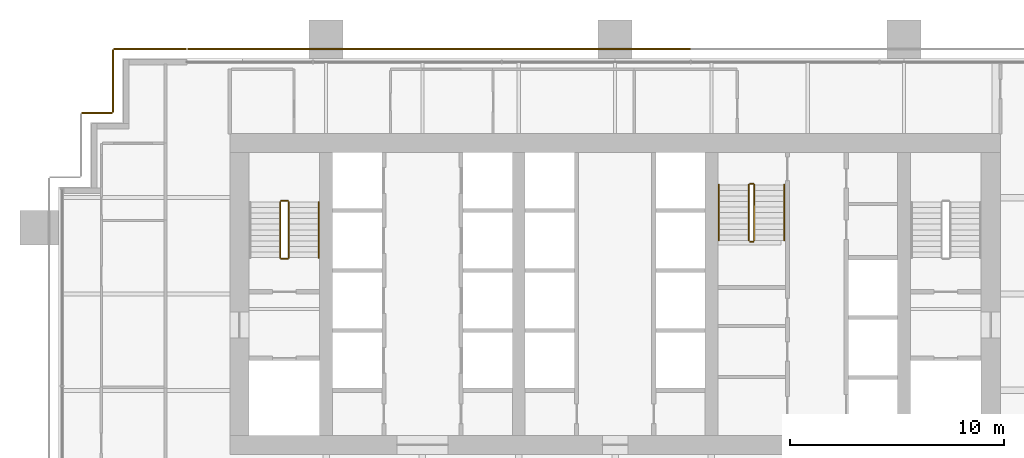
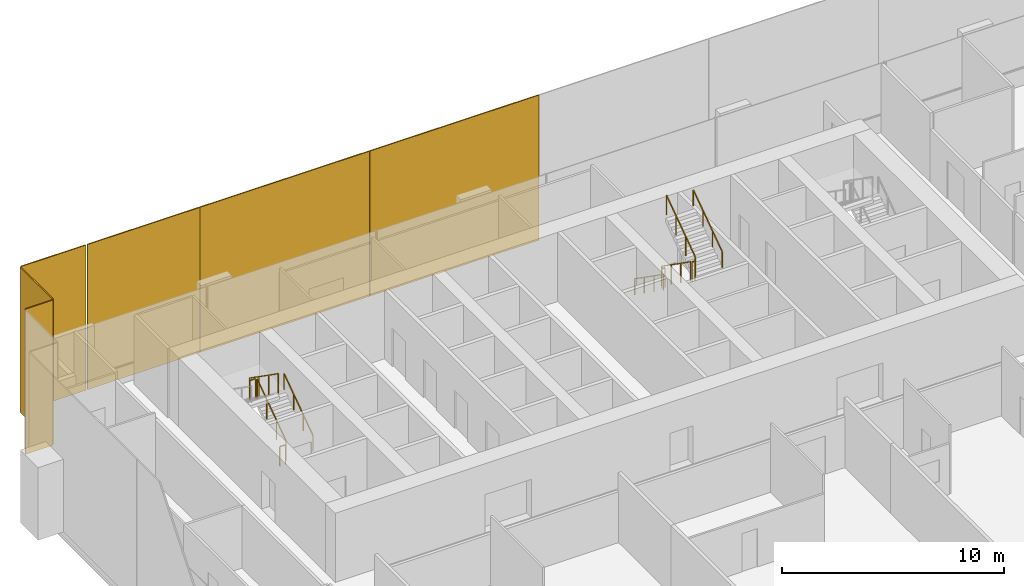
# One storey, part 18 of 19: 11 railings, 6 coverings.
"""IFC4 building model written with IfcOpenShell, lengths in metres."""

import ifcopenshell
import ifcopenshell.guid

model = None  # the IFC model being written
_history = None  # IfcOwnerHistory: only IFC2X3 demands one
_inside = {}  # id of a spatial element -> (the spatial element, [elements in it])
_under = {}  # id of a project, library or spatial element -> (it, [spatial elements below it])
_declared = {}  # id of a project -> (the project, [libraries it declares])
_typed = {}  # id of a type object -> (the type object, [elements of that type])
_made_of = {}  # id of a material, layer set ... -> (it, [elements and type objects made of it])


def new_model(schema):
    """Start an empty IFC model of exactly this schema.

    Asked for "IFC4X3", IfcOpenShell would pick the latest addendum, in which some entities
    have other attributes; the version numbers below select the first issue.
    IFC2X3 requires an IfcOwnerHistory on every rooted entity: one is made here for all.
    """
    global model, _history
    if schema == "IFC4X3":
        model = ifcopenshell.file(schema_version=(4, 3, 0, 0))
    else:
        model = ifcopenshell.file(schema=schema)
    _inside.clear()
    _under.clear()
    _declared.clear()
    _typed.clear()
    _made_of.clear()
    _history = None
    if model.schema == "IFC2X3":
        org = make("IfcOrganization", Name="unknown")
        user = make(
            "IfcPersonAndOrganization",
            ThePerson=make("IfcPerson", FamilyName="unknown"),
            TheOrganization=org,
        )
        app = make(
            "IfcApplication",
            ApplicationDeveloper=org,
            Version="unknown",
            ApplicationFullName="unknown",
            ApplicationIdentifier="unknown",
        )
        _history = make(
            "IfcOwnerHistory",
            OwningUser=user,
            OwningApplication=app,
            ChangeAction="ADDED",
            CreationDate=0,
        )
    return model


def make(cls, **values):
    """One entity of the class cls with the attributes given. An attribute that is None is left unset."""
    return model.create_entity(
        cls, **{name: value for name, value in values.items() if value is not None}
    )


def rooted(cls, **values):
    """An entity with a GlobalId (a new one), such as an element, a storey or a relation."""
    return make(cls, GlobalId=ifcopenshell.guid.new(), OwnerHistory=_history, **values)


def si_unit(unit_type, name, prefix=None):
    """IfcSIUnit, for example si_unit("LENGTHUNIT", "METRE", prefix="MILLI")."""
    return make("IfcSIUnit", UnitType=unit_type, Prefix=prefix, Name=name)


def assignment(units):
    """IfcUnitAssignment: the units of a project."""
    return None if units is None else make("IfcUnitAssignment", Units=units)


def point(xyz):
    """IfcCartesianPoint."""
    return None if xyz is None else make("IfcCartesianPoint", Coordinates=xyz)


def direction(xyz):
    """IfcDirection."""
    return None if xyz is None else make("IfcDirection", DirectionRatios=xyz)


def frame(location, z_axis=None, x_axis=None):
    """IfcAxis2Placement3D, a coordinate frame: its origin and axes. An axis left out is left unset."""
    return make(
        "IfcAxis2Placement3D",
        Location=point(location),
        Axis=direction(z_axis),
        RefDirection=direction(x_axis),
    )


def frame_2d(location, x_axis=None):
    """IfcAxis2Placement2D, a coordinate frame in the plane: its origin and x axis."""
    return make(
        "IfcAxis2Placement2D", Location=point(location), RefDirection=direction(x_axis)
    )


def origin():
    """The frame at (0, 0, 0) with its axes left unset."""
    return frame((0.0, 0.0, 0.0))


def origin_2d():
    """The frame at (0, 0) in the plane with its x axis left unset."""
    return frame_2d((0.0, 0.0))


def place(relative_to, where):
    """IfcLocalPlacement: puts the frame where relative to a parent placement (None: the world)."""
    return make(
        "IfcLocalPlacement", PlacementRelTo=relative_to, RelativePlacement=where
    )


def context(
    kind, dimensions, precision=None, world=None, true_north=None, identifier=None
):
    """IfcGeometricRepresentationContext, for example the 3D "Model" context."""
    return make(
        "IfcGeometricRepresentationContext",
        ContextIdentifier=identifier,
        ContextType=kind,
        CoordinateSpaceDimension=dimensions,
        Precision=precision,
        WorldCoordinateSystem=world,
        TrueNorth=true_north,
    )


def subcontext(parent, identifier, kind, view, scale=None):
    """IfcGeometricRepresentationSubContext, for example "Body" below "Model"."""
    return make(
        "IfcGeometricRepresentationSubContext",
        ContextIdentifier=identifier,
        ContextType=kind,
        ParentContext=parent,
        TargetScale=scale,
        TargetView=view,
    )


def project(units=None, contexts=None):
    """IfcProject with its units and contexts."""
    return rooted(
        "IfcProject",
        Name="project",
        RepresentationContexts=contexts,
        UnitsInContext=assignment(units),
    )


def spatial(cls, under=None, at=None, **own):
    """A site, building, storey or space (cls), placed at a placement, below another one or the project."""
    s = rooted(cls, ObjectPlacement=at, **own)
    if under is not None:
        _under.setdefault(under.id(), (under, []))[1].append(s)
    return s


def profile(cls, at=None, kind="AREA", **sizes):
    """A parametric profile (cls). Its sizes go by their IFC names, for example OverallWidth=200.0."""
    return make(cls, ProfileType=kind, Position=at, **sizes)


def rectangle(**sizes):
    """IfcRectangleProfileDef."""
    return profile("IfcRectangleProfileDef", **sizes)


def extrude(swept, where, along, depth):
    """IfcExtrudedAreaSolid: the profile swept, set in the frame where, extruded along a direction by depth."""
    return make(
        "IfcExtrudedAreaSolid",
        SweptArea=swept,
        Position=where,
        ExtrudedDirection=direction(along),
        Depth=depth,
    )


def shape(context_of_items, identifier, shape_type, items):
    """IfcShapeRepresentation: the items that make up one representation, for example the "Body"."""
    return make(
        "IfcShapeRepresentation",
        ContextOfItems=context_of_items,
        RepresentationIdentifier=identifier,
        RepresentationType=shape_type,
        Items=items,
    )


def material(Name=None, Category=None):
    """IfcMaterial."""
    return make("IfcMaterial", Name=Name, Category=Category)


def layer(
    of_material, thickness, ventilated=None, Name=None, Category=None, Priority=None
):
    """IfcMaterialLayer: one layer of a wall or slab, of a material (None: an air gap)."""
    return make(
        "IfcMaterialLayer",
        Material=of_material,
        LayerThickness=thickness,
        IsVentilated=ventilated,
        Name=Name,
        Category=Category,
        Priority=Priority,
    )


def layer_set(layers, Name=None):
    """IfcMaterialLayerSet."""
    return make("IfcMaterialLayerSet", MaterialLayers=layers, LayerSetName=Name)


def made_of(thing, what):
    """Note that an element or type object is made of a material, layer set ...; save() writes the relation."""
    if what is not None:
        _made_of.setdefault(what.id(), (what, []))[1].append(thing)
    return thing


def type_object(cls, material=None, **own):
    """A type object (cls), such as IfcWallType, which elements share."""
    return made_of(rooted(cls, **own), material)


def element(
    cls,
    number,
    at=None,
    inside=None,
    cuts=None,
    type_object=None,
    material=None,
    context=None,
    identifier="Body",
    shape_type=None,
    held_by="IfcProductDefinitionShape",
    body=None,
    shapes=None,
    **own,
):
    """One element of the class cls, such as IfcWall. Its Tag is "e" and its number.

    at: its placement. inside: the storey or other place that contains it. cuts: it is an
    opening in that element (IfcRelVoidsElement). A single representation is given by context,
    identifier, shape_type and body (its items); several are given by shapes. held_by: the class
    of the entity that holds the representations. save() writes the other relations.
    """
    e = rooted(cls, Tag="e%d" % number, ObjectPlacement=at, **own)
    if body is not None:
        shapes = [shape(context, identifier, shape_type, body)]
    if shapes is not None:
        e.Representation = make(held_by, Representations=shapes)
    if inside is not None:
        _inside.setdefault(inside.id(), (inside, []))[1].append(e)
    if cuts is not None:
        rooted(
            "IfcRelVoidsElement", RelatingBuildingElement=cuts, RelatedOpeningElement=e
        )
    if type_object is not None:
        _typed.setdefault(type_object.id(), (type_object, []))[1].append(e)
    return made_of(e, material)


def aggregate(whole, parts):
    """IfcRelAggregates: a whole, such as a stair, and the parts it consists of."""
    return rooted("IfcRelAggregates", RelatingObject=whole, RelatedObjects=parts)


def save(model, path):
    """Write the relations noted so far, then the file.

    IfcRelAggregates (storeys below a building ...), IfcRelContainedInSpatialStructure (elements
    in a storey), IfcRelDefinesByType, IfcRelAssociatesMaterial and IfcRelDeclares: one each for
    every whole, place, type object, material and project.
    """
    for whole, parts in _under.values():
        aggregate(whole, parts)
    for where, things in _inside.values():
        rooted(
            "IfcRelContainedInSpatialStructure",
            RelatedElements=things,
            RelatingStructure=where,
        )
    for kind, things in _typed.values():
        rooted("IfcRelDefinesByType", RelatedObjects=things, RelatingType=kind)
    for what, things in _made_of.values():
        rooted("IfcRelAssociatesMaterial", RelatedObjects=things, RelatingMaterial=what)
    for by, libraries in _declared.values():
        rooted("IfcRelDeclares", RelatingContext=by, RelatedDefinitions=libraries)
    model.write(path)


model = new_model("IFC4")

# Units and contexts
model_context = context("Model", 3, precision=1e-05, world=origin(), true_north=direction((0.0, 1.0)))
body_context = subcontext(model_context, "Body", "Model", "MODEL_VIEW")
ifc_project = project(units=[si_unit("LENGTHUNIT", "METRE"), si_unit("AREAUNIT", "SQUARE_METRE"), si_unit("VOLUMEUNIT", "CUBIC_METRE"), si_unit("PLANEANGLEUNIT", "RADIAN"), si_unit("MASSUNIT", "GRAM", prefix="KILO")], contexts=[model_context])

# Site, building, storey
site_placement = place(None, origin())
site = spatial("IfcSite", under=ifc_project, at=site_placement, CompositionType="ELEMENT")
building_placement = place(site_placement, origin())
building = spatial("IfcBuilding", under=site, at=building_placement, Name="Rattan Terrace Tower", CompositionType="ELEMENT")
storey_placement = place(building_placement, frame((0.0, 0.0, 103.699951171875)))
storey = spatial("IfcBuildingStorey", under=building, at=storey_placement, Name="L23", CompositionType="ELEMENT", Elevation=103.699951171875)

# Railings
ifc_material_1 = material(Name="Powder-coated steel guard", Category="steel")
railing_type_1 = type_object("IfcRailingType", Name="Core stair guard", PredefinedType="GUARDRAIL", material=ifc_material_1)
railing_1_placement = place(storey_placement, frame((-15.25, 1.699951171875, 0.181884765625)))
element("IfcRailing", 1, at=railing_1_placement, inside=storey, type_object=railing_type_1, Name="L23 S1 stair guard 1", PredefinedType="GUARDRAIL", context=body_context, shape_type="SweptSolid", body=[
    extrude(rectangle(XDim=0.048095703125, YDim=0.048095703125, at=origin_2d()), frame((0.0, 0.0, 1.076171875), z_axis=(0.0, 0.819521025635, 0.573049115296), x_axis=(-1.0, 0.0, 0.0)), (0.0, 0.0, 1.0), 3.172607421875),
    extrude(rectangle(XDim=0.0419921875, YDim=0.0419921875, at=origin_2d()), origin(), (0.0, 0.0, 1.0), 1.052001953125),
    extrude(rectangle(XDim=0.0419921875, YDim=0.0419921875, at=origin_2d()), frame((0.0, 0.86669921875, 0.60595703125)), (0.0, 0.0, 1.0), 1.052001953125),
    extrude(rectangle(XDim=0.0419921875, YDim=0.0419921875, at=origin_2d()), frame((0.0, 1.7333984375, 1.212158203125)), (0.0, 0.0, 1.0), 1.052001953125),
    extrude(rectangle(XDim=0.0419921875, YDim=0.0419921875, at=origin_2d()), frame((0.0, 2.60009765625, 1.818115234375)), (0.0, 0.0, 1.0), 1.052001953125),
])
railing_2_placement = place(storey_placement, frame((-15.300048828125, 4.35009765625, 2.0)))
element("IfcRailing", 2, at=railing_2_placement, inside=storey, type_object=railing_type_1, Name="L23 S1 stair guard 2", PredefinedType="GUARDRAIL", context=body_context, shape_type="SweptSolid", body=[
    extrude(rectangle(XDim=0.048095703125, YDim=0.048095703125, at=origin_2d()), frame((0.0, 0.0, 1.076171875), z_axis=(-1.0, 0.0, 0.0), x_axis=(0.0, -1.0, 0.0)), (0.0, 0.0, 1.0), 0.300048828125),
    extrude(rectangle(XDim=0.0419921875, YDim=0.0419921875, at=origin_2d()), origin(), (0.0, 0.0, 1.0), 1.052001953125),
    extrude(rectangle(XDim=0.0419921875, YDim=0.0419921875, at=origin_2d()), frame((-0.300048828125, 0.0, 0.0)), (0.0, 0.0, 1.0), 1.052001953125),
])
railing_3_placement = place(storey_placement, frame((-15.64990234375, 4.300048828125, 2.181884765625)))
element("IfcRailing", 3, at=railing_3_placement, inside=storey, type_object=railing_type_1, Name="L23 S1 stair guard 3", PredefinedType="GUARDRAIL", context=body_context, shape_type="SweptSolid", body=[
    extrude(rectangle(XDim=0.048095703125, YDim=0.048095703125, at=origin_2d()), frame((0.0, 0.0, 1.076171875), z_axis=(0.0, -0.819521025635, 0.573049115296), x_axis=(1.0, 0.0, 0.0)), (0.0, 0.0, 1.0), 3.172607421875),
    extrude(rectangle(XDim=0.0419921875, YDim=0.0419921875, at=origin_2d()), origin(), (0.0, 0.0, 1.0), 1.052001953125),
    extrude(rectangle(XDim=0.0419921875, YDim=0.0419921875, at=origin_2d()), frame((0.0, -0.86669921875, 0.60595703125)), (0.0, 0.0, 1.0), 1.052001953125),
    extrude(rectangle(XDim=0.0419921875, YDim=0.0419921875, at=origin_2d()), frame((0.0, -1.7333984375, 1.212158203125)), (0.0, 0.0, 1.0), 1.052001953125),
    extrude(rectangle(XDim=0.0419921875, YDim=0.0419921875, at=origin_2d()), frame((0.0, -2.60009765625, 1.818115234375)), (0.0, 0.0, 1.0), 1.052001953125),
])
railing_4_placement = place(storey_placement, frame((-15.300048828125, 1.64990234375, 0.0)))
element("IfcRailing", 4, at=railing_4_placement, inside=storey, type_object=railing_type_1, Name="L23 S1 stair guard 4", PredefinedType="GUARDRAIL", context=body_context, shape_type="SweptSolid", body=[
    extrude(rectangle(XDim=0.048095703125, YDim=0.048095703125, at=origin_2d()), frame((0.0, 0.0, 1.076171875), z_axis=(-1.0, 0.0, 0.0), x_axis=(0.0, -1.0, 0.0)), (0.0, 0.0, 1.0), 0.300048828125),
    extrude(rectangle(XDim=0.0419921875, YDim=0.0419921875, at=origin_2d()), origin(), (0.0, 0.0, 1.0), 1.052001953125),
    extrude(rectangle(XDim=0.0419921875, YDim=0.0419921875, at=origin_2d()), frame((-0.300048828125, 0.0, 0.0)), (0.0, 0.0, 1.0), 1.052001953125),
])
railing_5_placement = place(storey_placement, frame((6.25, 5.10009765625, 0.181884765625)))
element("IfcRailing", 5, at=railing_5_placement, inside=storey, type_object=railing_type_1, Name="L23 S3 stair guard 1", PredefinedType="GUARDRAIL", context=body_context, shape_type="SweptSolid", body=[
    extrude(rectangle(XDim=0.048095703125, YDim=0.048095703125, at=origin_2d()), frame((0.0, 0.0, 1.076171875), z_axis=(0.0, -0.819521025635, 0.573049115296), x_axis=(1.0, 0.0, 0.0)), (0.0, 0.0, 1.0), 3.172607421875),
    extrude(rectangle(XDim=0.0419921875, YDim=0.0419921875, at=origin_2d()), origin(), (0.0, 0.0, 1.0), 1.052001953125),
    extrude(rectangle(XDim=0.0419921875, YDim=0.0419921875, at=origin_2d()), frame((0.0, -0.86669921875, 0.60595703125)), (0.0, 0.0, 1.0), 1.052001953125),
    extrude(rectangle(XDim=0.0419921875, YDim=0.0419921875, at=origin_2d()), frame((0.0, -1.7333984375, 1.212158203125)), (0.0, 0.0, 1.0), 1.052001953125),
    extrude(rectangle(XDim=0.0419921875, YDim=0.0419921875, at=origin_2d()), frame((0.0, -2.60009765625, 1.818115234375)), (0.0, 0.0, 1.0), 1.052001953125),
])
railing_6_placement = place(storey_placement, frame((6.300048828125, 2.449951171875, 2.0)))
element("IfcRailing", 6, at=railing_6_placement, inside=storey, type_object=railing_type_1, Name="L23 S3 stair guard 2", PredefinedType="GUARDRAIL", context=body_context, shape_type="SweptSolid", body=[
    extrude(rectangle(XDim=0.048095703125, YDim=0.048095703125, at=origin_2d()), frame((0.0, 0.0, 1.076171875), z_axis=(1.0, 0.0, 0.0), x_axis=(0.0, 1.0, 0.0)), (0.0, 0.0, 1.0), 0.14990234375),
    extrude(rectangle(XDim=0.0419921875, YDim=0.0419921875, at=origin_2d()), origin(), (0.0, 0.0, 1.0), 1.052001953125),
    extrude(rectangle(XDim=0.0419921875, YDim=0.0419921875, at=origin_2d()), frame((0.14990234375, 0.0, 0.0)), (0.0, 0.0, 1.0), 1.052001953125),
])
railing_7_placement = place(storey_placement, frame((6.5, 2.5, 2.181884765625)))
element("IfcRailing", 7, at=railing_7_placement, inside=storey, type_object=railing_type_1, Name="L23 S3 stair guard 3", PredefinedType="GUARDRAIL", context=body_context, shape_type="SweptSolid", body=[
    extrude(rectangle(XDim=0.048095703125, YDim=0.048095703125, at=origin_2d()), frame((0.0, 0.0, 1.076171875), z_axis=(0.0, 0.819521025635, 0.573049115296), x_axis=(-1.0, 0.0, 0.0)), (0.0, 0.0, 1.0), 3.172607421875),
    extrude(rectangle(XDim=0.0419921875, YDim=0.0419921875, at=origin_2d()), origin(), (0.0, 0.0, 1.0), 1.052001953125),
    extrude(rectangle(XDim=0.0419921875, YDim=0.0419921875, at=origin_2d()), frame((0.0, 0.86669921875, 0.60595703125)), (0.0, 0.0, 1.0), 1.052001953125),
    extrude(rectangle(XDim=0.0419921875, YDim=0.0419921875, at=origin_2d()), frame((0.0, 1.7333984375, 1.212158203125)), (0.0, 0.0, 1.0), 1.052001953125),
    extrude(rectangle(XDim=0.0419921875, YDim=0.0419921875, at=origin_2d()), frame((0.0, 2.60009765625, 1.818115234375)), (0.0, 0.0, 1.0), 1.052001953125),
])
railing_8_placement = place(storey_placement, frame((6.300048828125, 5.14990234375, 0.0)))
element("IfcRailing", 8, at=railing_8_placement, inside=storey, type_object=railing_type_1, Name="L23 S3 stair guard 4", PredefinedType="GUARDRAIL", context=body_context, shape_type="SweptSolid", body=[
    extrude(rectangle(XDim=0.048095703125, YDim=0.048095703125, at=origin_2d()), frame((0.0, 0.0, 1.076171875), z_axis=(1.0, 0.0, 0.0), x_axis=(0.0, 1.0, 0.0)), (0.0, 0.0, 1.0), 0.14990234375),
    extrude(rectangle(XDim=0.0419921875, YDim=0.0419921875, at=origin_2d()), origin(), (0.0, 0.0, 1.0), 1.052001953125),
    extrude(rectangle(XDim=0.0419921875, YDim=0.0419921875, at=origin_2d()), frame((0.14990234375, 0.0, 0.0)), (0.0, 0.0, 1.0), 1.052001953125),
])
ifc_material_2 = material(Name="Powder-coated steel handrail", Category="steel")
railing_type_2 = type_object("IfcRailingType", Name="Core stair handrail", PredefinedType="HANDRAIL", material=ifc_material_2)
railing_9_placement = place(storey_placement, frame((-13.85009765625, 1.699951171875, 0.181884765625)))
element("IfcRailing", 9, at=railing_9_placement, inside=storey, type_object=railing_type_2, Name="L23 S1 stair handrail 1", PredefinedType="HANDRAIL", context=body_context, shape_type="SweptSolid", body=[
    extrude(rectangle(XDim=0.048095703125, YDim=0.048095703125, at=origin_2d()), frame((0.0, 0.0, 0.8759765625), z_axis=(0.0, 0.819521025635, 0.573049115296), x_axis=(-1.0, 0.0, 0.0)), (0.0, 0.0, 1.0), 3.172607421875),
    extrude(rectangle(XDim=0.0419921875, YDim=0.0419921875, at=origin_2d()), origin(), (0.0, 0.0, 1.0), 0.851806640625),
    extrude(rectangle(XDim=0.0419921875, YDim=0.0419921875, at=origin_2d()), frame((0.0, 0.86669921875, 0.60595703125)), (0.0, 0.0, 1.0), 0.851806640625),
    extrude(rectangle(XDim=0.0419921875, YDim=0.0419921875, at=origin_2d()), frame((0.0, 1.7333984375, 1.212158203125)), (0.0, 0.0, 1.0), 0.851806640625),
    extrude(rectangle(XDim=0.0419921875, YDim=0.0419921875, at=origin_2d()), frame((0.0, 2.60009765625, 1.818115234375)), (0.0, 0.0, 1.0), 0.851806640625),
])
railing_10_placement = place(storey_placement, frame((4.85009765625, 5.10009765625, 0.181884765625)))
element("IfcRailing", 10, at=railing_10_placement, inside=storey, type_object=railing_type_2, Name="L23 S3 stair handrail 1", PredefinedType="HANDRAIL", context=body_context, shape_type="SweptSolid", body=[
    extrude(rectangle(XDim=0.048095703125, YDim=0.048095703125, at=origin_2d()), frame((0.0, 0.0, 0.8759765625), z_axis=(0.0, -0.819521025635, 0.573049115296), x_axis=(1.0, 0.0, 0.0)), (0.0, 0.0, 1.0), 3.172607421875),
    extrude(rectangle(XDim=0.0419921875, YDim=0.0419921875, at=origin_2d()), origin(), (0.0, 0.0, 1.0), 0.851806640625),
    extrude(rectangle(XDim=0.0419921875, YDim=0.0419921875, at=origin_2d()), frame((0.0, -0.86669921875, 0.60595703125)), (0.0, 0.0, 1.0), 0.851806640625),
    extrude(rectangle(XDim=0.0419921875, YDim=0.0419921875, at=origin_2d()), frame((0.0, -1.7333984375, 1.212158203125)), (0.0, 0.0, 1.0), 0.851806640625),
    extrude(rectangle(XDim=0.0419921875, YDim=0.0419921875, at=origin_2d()), frame((0.0, -2.60009765625, 1.818115234375)), (0.0, 0.0, 1.0), 0.851806640625),
])
railing_11_placement = place(storey_placement, frame((7.89990234375, 2.5, 2.181884765625)))
element("IfcRailing", 11, at=railing_11_placement, inside=storey, type_object=railing_type_2, Name="L23 S3 stair handrail 2", PredefinedType="HANDRAIL", context=body_context, shape_type="SweptSolid", body=[
    extrude(rectangle(XDim=0.048095703125, YDim=0.048095703125, at=origin_2d()), frame((0.0, 0.0, 0.8759765625), z_axis=(0.0, 0.819521025635, 0.573049115296), x_axis=(-1.0, 0.0, 0.0)), (0.0, 0.0, 1.0), 3.172607421875),
    extrude(rectangle(XDim=0.0419921875, YDim=0.0419921875, at=origin_2d()), origin(), (0.0, 0.0, 1.0), 0.851806640625),
    extrude(rectangle(XDim=0.0419921875, YDim=0.0419921875, at=origin_2d()), frame((0.0, 0.86669921875, 0.60595703125)), (0.0, 0.0, 1.0), 0.851806640625),
    extrude(rectangle(XDim=0.0419921875, YDim=0.0419921875, at=origin_2d()), frame((0.0, 1.7333984375, 1.212158203125)), (0.0, 0.0, 1.0), 0.851806640625),
    extrude(rectangle(XDim=0.0419921875, YDim=0.0419921875, at=origin_2d()), frame((0.0, 2.60009765625, 1.818115234375)), (0.0, 0.0, 1.0), 0.851806640625),
])

# Coverings
ifc_material_3 = material(Name="Perforated terracotta", Category="masonry")
ifc_layer = layer(ifc_material_3, 0.06005859375)
ifc_layer_set = layer_set([ifc_layer], Name="Facade Terracotta Screen Panel")
covering_type = type_object("IfcCoveringType", Name="Facade Terracotta Screen Panel", PredefinedType="CLADDING", material=ifc_layer_set)
for number, where, z_axis, x_axis, name in (
    (12, (-0.880615234375, 11.449951171875, -0.18994140625), (0.0, 0.0, 1.0), (-1.0, 0.0, 0.0), "OUTER SKIN panel L23-18"),
    (13, (-9.70361328125, 11.449951171875, -0.18994140625), (0.0, 0.0, 1.0), (-1.0, 0.0, 0.0), "OUTER SKIN panel L23-19"),
):
    element("IfcCovering", number, at=place(storey_placement, frame(where, z_axis=z_axis, x_axis=x_axis)), inside=storey, type_object=covering_type, Name=name, PredefinedType="CLADDING", context=body_context, shape_type="SweptSolid", body=[
        extrude(rectangle(XDim=8.802978515625, YDim=0.06005859375, at=origin_2d()), origin(), (0.0, 0.0, 1.0), 7.97998046875),
    ])
covering_1_placement = place(storey_placement, frame((-17.04248046875, 11.449951171875, -0.18994140625), z_axis=(0.0, 0.0, 1.0), x_axis=(-1.0, 0.0, 0.0)))
element("IfcCovering", 14, at=covering_1_placement, inside=storey, type_object=covering_type, Name="OUTER SKIN panel L23-20", PredefinedType="CLADDING", context=body_context, shape_type="SweptSolid", body=[
    extrude(rectangle(XDim=5.8349609375, YDim=0.06005859375, at=origin_2d()), origin(), (0.0, 0.0, 1.0), 7.97998046875),
])
covering_2_placement = place(storey_placement, frame((-21.72509765625, 11.449951171875, -0.18994140625), z_axis=(0.0, 0.0, 1.0), x_axis=(-1.0, 0.0, 0.0)))
element("IfcCovering", 15, at=covering_2_placement, inside=storey, type_object=covering_type, Name="OUTER SKIN panel L23-21", PredefinedType="CLADDING", context=body_context, shape_type="SweptSolid", body=[
    extrude(rectangle(XDim=3.3701171875, YDim=0.06005859375, at=origin_2d()), origin(), (0.0, 0.0, 1.0), 7.97998046875),
])
covering_3_placement = place(storey_placement, frame((-23.449951171875, 9.949951171875, -0.18994140625), z_axis=(0.0, 0.0, 1.0), x_axis=(0.0, -1.0, 0.0)))
element("IfcCovering", 16, at=covering_3_placement, inside=storey, type_object=covering_type, Name="OUTER SKIN panel L23-22", PredefinedType="CLADDING", context=body_context, shape_type="SweptSolid", body=[
    extrude(rectangle(XDim=2.919921875, YDim=0.06005859375, at=origin_2d()), origin(), (0.0, 0.0, 1.0), 7.97998046875),
])
covering_4_placement = place(storey_placement, frame((-24.199951171875, 8.449951171875, -0.18994140625), z_axis=(0.0, 0.0, 1.0), x_axis=(-1.0, 0.0, 0.0)))
element("IfcCovering", 17, at=covering_4_placement, inside=storey, type_object=covering_type, Name="OUTER SKIN panel L23-23", PredefinedType="CLADDING", context=body_context, shape_type="SweptSolid", body=[
    extrude(rectangle(XDim=1.419921875, YDim=0.06005859375, at=origin_2d()), origin(), (0.0, 0.0, 1.0), 7.97998046875),
])

save(model, "model.ifc")
